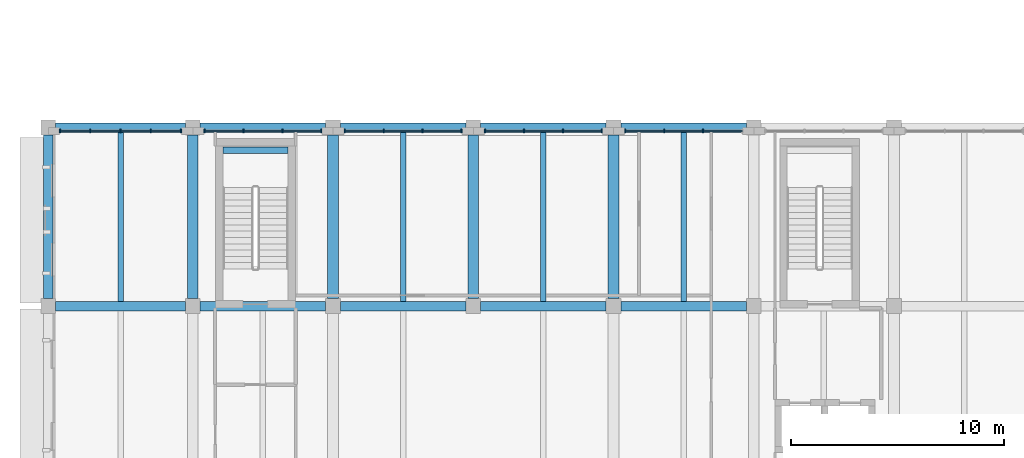
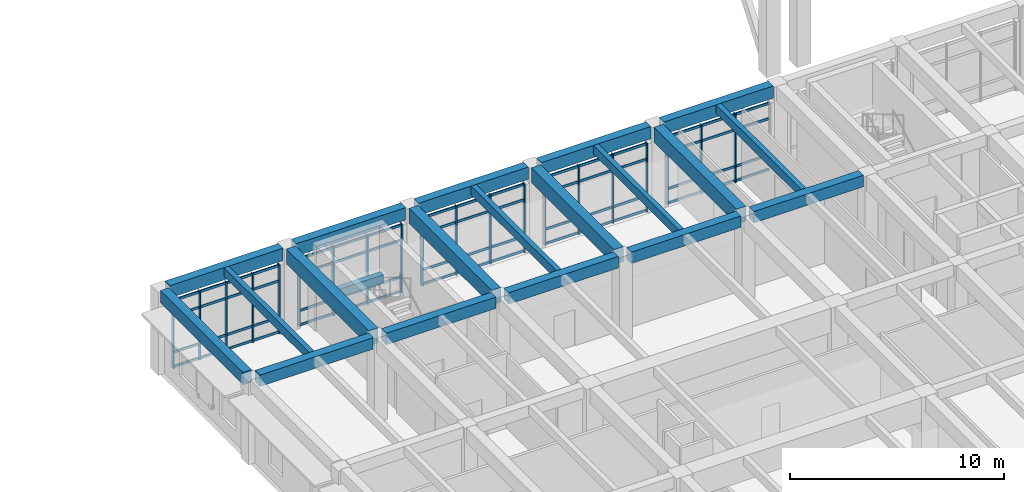
# One storey, part 9 of 75: 40 members, 20 beams, 5 elements without a shape of their own.
"""IFC4 building model written with IfcOpenShell, lengths in metres."""

from ifc_helpers import new_model, si_unit, direction, frame, origin, origin_2d, place, context, subcontext, project, spatial, rectangle, extrude, material, layer, layer_set, material_profile, profile_set, type_object, element, aggregate, save


model = new_model("IFC4")

# Units and contexts
model_context = context("Model", 3, precision=1e-05, world=origin(), true_north=direction((0.0, 1.0)))
body_context = subcontext(model_context, "Body", "Model", "MODEL_VIEW")
ifc_project = project(units=[si_unit("LENGTHUNIT", "METRE"), si_unit("AREAUNIT", "SQUARE_METRE"), si_unit("VOLUMEUNIT", "CUBIC_METRE"), si_unit("PLANEANGLEUNIT", "RADIAN"), si_unit("MASSUNIT", "GRAM", prefix="KILO")], contexts=[model_context])

# Site, building, storey
site_placement = place(None, origin())
site = spatial("IfcSite", under=ifc_project, at=site_placement, CompositionType="ELEMENT")
building_placement = place(site_placement, origin())
building = spatial("IfcBuilding", under=site, at=building_placement, Name="Kolvaren Faculty of Natural Sciences", CompositionType="ELEMENT")
storey_placement = place(building_placement, frame((0.0, 0.0, 5.39990234375)))
storey = spatial("IfcBuildingStorey", under=building, at=storey_placement, Name="L01", CompositionType="ELEMENT", Elevation=5.39990234375)

# Beam
ifc_material_1 = material(Name="Concrete C40/50", Category="concrete")
ifc_material_profile_1 = material_profile(ifc_material_1, rectangle(XDim=0.300048828125, YDim=0.449951171875, at=origin_2d()), Name="RC LNT 300x450")
ifc_profile_set_1 = profile_set([ifc_material_profile_1], Name="Concrete C40/50")
beam_type_1 = type_object("IfcBeamType", Name="CoreCouplingLintel_300x450", PredefinedType="LINTEL", material=ifc_profile_set_1)
beam_1_placement = place(storey_placement, frame((8.22509765625, 41.1298828125, 1.97509765625), z_axis=(1.0, 0.0, 0.0), x_axis=(0.0, 1.0, 0.0)))
element("IfcBeam", 1, at=beam_1_placement, inside=storey, type_object=beam_type_1, Name="L01 ST-8 half-landing support lintel", PredefinedType="LINTEL", context=body_context, shape_type="SweptSolid", body=[
    extrude(rectangle(XDim=0.300048828125, YDim=0.449951171875, at=origin_2d()), origin(), (0.0, 0.0, 1.0), 3.0498046875),
])

# Curtain wall, members
ifc_material_2 = material(Name="Thermally broken anodised aluminium framing", Category="aluminium")
ifc_layer = layer(ifc_material_2, 0.179931640625)
ifc_layer_set = layer_set([ifc_layer], Name="Thermally broken anodised aluminium framing")
curtain_wall_type = type_object("IfcCurtainWallType", Name="CommonsCurtainWall_CW02", PredefinedType="NOTDEFINED", material=ifc_layer_set)
curtain_wall_1_placement = place(storey_placement, origin())
curtain_wall_1 = element("IfcCurtainWall", 2, at=curtain_wall_1_placement, inside=storey, type_object=curtain_wall_type, Name="L01 unitised curtain wall CW-02 (CW-L01-023)", PredefinedType="NOTDEFINED")
ifc_material_profile_2 = material_profile(ifc_material_2, rectangle(XDim=0.06005859375, YDim=0.179931640625, at=origin_2d()), Name="ALU MUL 60x180")
ifc_profile_set_2 = profile_set([ifc_material_profile_2], Name="Thermally broken anodised aluminium framing")
member_type_1 = type_object("IfcMemberType", Name="CurtainMullion_60x180", PredefinedType="MULLION", material=ifc_profile_set_2)
member_1_placement = place(storey_placement, frame((0.550048828125, 42.0400390625, 0.0), z_axis=(0.0, 0.0, 1.0), x_axis=(1.0, 0.0, 0.0)))
member_1 = element("IfcMember", 3, at=member_1_placement, type_object=member_type_1, Name="CW-L01-023 vertical mullion 1", PredefinedType="MULLION", context=body_context, shape_type="SweptSolid", body=[
    extrude(rectangle(XDim=0.06005859375, YDim=0.179931640625, at=origin_2d()), origin(), (0.0, 0.0, 1.0), 3.93505859375),
])
member_2_placement = place(storey_placement, frame((1.97509765625, 42.0400390625, 0.0), z_axis=(0.0, 0.0, 1.0), x_axis=(1.0, 0.0, 0.0)))
member_2 = element("IfcMember", 4, at=member_2_placement, type_object=member_type_1, Name="CW-L01-023 vertical mullion 2", PredefinedType="MULLION", context=body_context, shape_type="SweptSolid", body=[
    extrude(rectangle(XDim=0.06005859375, YDim=0.179931640625, at=origin_2d()), origin(), (0.0, 0.0, 1.0), 3.93505859375),
])
member_3_placement = place(storey_placement, frame((3.39990234375, 42.0400390625, 0.0), z_axis=(0.0, 0.0, 1.0), x_axis=(1.0, 0.0, 0.0)))
member_3 = element("IfcMember", 5, at=member_3_placement, type_object=member_type_1, Name="CW-L01-023 vertical mullion 3", PredefinedType="MULLION", context=body_context, shape_type="SweptSolid", body=[
    extrude(rectangle(XDim=0.06005859375, YDim=0.179931640625, at=origin_2d()), origin(), (0.0, 0.0, 1.0), 3.93505859375),
])
member_4_placement = place(storey_placement, frame((4.824951171875, 42.0400390625, 0.0), z_axis=(0.0, 0.0, 1.0), x_axis=(1.0, 0.0, 0.0)))
member_4 = element("IfcMember", 6, at=member_4_placement, type_object=member_type_1, Name="CW-L01-023 vertical mullion 4", PredefinedType="MULLION", context=body_context, shape_type="SweptSolid", body=[
    extrude(rectangle(XDim=0.06005859375, YDim=0.179931640625, at=origin_2d()), origin(), (0.0, 0.0, 1.0), 3.93505859375),
])
member_5_placement = place(storey_placement, frame((6.25, 42.0400390625, 0.0), z_axis=(0.0, 0.0, 1.0), x_axis=(1.0, 0.0, 0.0)))
member_5 = element("IfcMember", 7, at=member_5_placement, type_object=member_type_1, Name="CW-L01-023 vertical mullion 5", PredefinedType="MULLION", context=body_context, shape_type="SweptSolid", body=[
    extrude(rectangle(XDim=0.06005859375, YDim=0.179931640625, at=origin_2d()), origin(), (0.0, 0.0, 1.0), 3.93505859375),
])

curtain_wall_2_placement = place(storey_placement, origin())
curtain_wall_2 = element("IfcCurtainWall", 8, at=curtain_wall_2_placement, inside=storey, type_object=curtain_wall_type, Name="L01 unitised curtain wall CW-02 (CW-L01-024)", PredefinedType="NOTDEFINED")
member_6_placement = place(storey_placement, frame((7.35009765625, 42.0400390625, 0.0), z_axis=(0.0, 0.0, 1.0), x_axis=(1.0, 0.0, 0.0)))
member_6 = element("IfcMember", 9, at=member_6_placement, type_object=member_type_1, Name="CW-L01-024 vertical mullion 1", PredefinedType="MULLION", context=body_context, shape_type="SweptSolid", body=[
    extrude(rectangle(XDim=0.06005859375, YDim=0.179931640625, at=origin_2d()), origin(), (0.0, 0.0, 1.0), 3.93505859375),
])
member_7_placement = place(storey_placement, frame((9.183349609375, 42.0400390625, 0.0), z_axis=(0.0, 0.0, 1.0), x_axis=(1.0, 0.0, 0.0)))
member_7 = element("IfcMember", 10, at=member_7_placement, type_object=member_type_1, Name="CW-L01-024 vertical mullion 2", PredefinedType="MULLION", context=body_context, shape_type="SweptSolid", body=[
    extrude(rectangle(XDim=0.06005859375, YDim=0.179931640625, at=origin_2d()), origin(), (0.0, 0.0, 1.0), 3.93505859375),
])
member_8_placement = place(storey_placement, frame((11.0166015625, 42.0400390625, 0.0), z_axis=(0.0, 0.0, 1.0), x_axis=(1.0, 0.0, 0.0)))
member_8 = element("IfcMember", 11, at=member_8_placement, type_object=member_type_1, Name="CW-L01-024 vertical mullion 3", PredefinedType="MULLION", context=body_context, shape_type="SweptSolid", body=[
    extrude(rectangle(XDim=0.06005859375, YDim=0.179931640625, at=origin_2d()), origin(), (0.0, 0.0, 1.0), 3.93505859375),
])
member_9_placement = place(storey_placement, frame((12.85009765625, 42.0400390625, 0.0), z_axis=(0.0, 0.0, 1.0), x_axis=(1.0, 0.0, 0.0)))
member_9 = element("IfcMember", 12, at=member_9_placement, type_object=member_type_1, Name="CW-L01-024 vertical mullion 4", PredefinedType="MULLION", context=body_context, shape_type="SweptSolid", body=[
    extrude(rectangle(XDim=0.06005859375, YDim=0.179931640625, at=origin_2d()), origin(), (0.0, 0.0, 1.0), 3.93505859375),
])

curtain_wall_3_placement = place(storey_placement, origin())
curtain_wall_3 = element("IfcCurtainWall", 13, at=curtain_wall_3_placement, inside=storey, type_object=curtain_wall_type, Name="L01 unitised curtain wall CW-02 (CW-L01-025)", PredefinedType="NOTDEFINED")
member_10_placement = place(storey_placement, frame((13.949951171875, 42.0400390625, 0.0), z_axis=(0.0, 0.0, 1.0), x_axis=(1.0, 0.0, 0.0)))
member_10 = element("IfcMember", 14, at=member_10_placement, type_object=member_type_1, Name="CW-L01-025 vertical mullion 1", PredefinedType="MULLION", context=body_context, shape_type="SweptSolid", body=[
    extrude(rectangle(XDim=0.06005859375, YDim=0.179931640625, at=origin_2d()), origin(), (0.0, 0.0, 1.0), 3.93505859375),
])
member_11_placement = place(storey_placement, frame((15.783203125, 42.0400390625, 0.0), z_axis=(0.0, 0.0, 1.0), x_axis=(1.0, 0.0, 0.0)))
member_11 = element("IfcMember", 15, at=member_11_placement, type_object=member_type_1, Name="CW-L01-025 vertical mullion 2", PredefinedType="MULLION", context=body_context, shape_type="SweptSolid", body=[
    extrude(rectangle(XDim=0.06005859375, YDim=0.179931640625, at=origin_2d()), origin(), (0.0, 0.0, 1.0), 3.93505859375),
])
member_12_placement = place(storey_placement, frame((17.61669921875, 42.0400390625, 0.0), z_axis=(0.0, 0.0, 1.0), x_axis=(1.0, 0.0, 0.0)))
member_12 = element("IfcMember", 16, at=member_12_placement, type_object=member_type_1, Name="CW-L01-025 vertical mullion 3", PredefinedType="MULLION", context=body_context, shape_type="SweptSolid", body=[
    extrude(rectangle(XDim=0.06005859375, YDim=0.179931640625, at=origin_2d()), origin(), (0.0, 0.0, 1.0), 3.93505859375),
])
member_13_placement = place(storey_placement, frame((19.449951171875, 42.0400390625, 0.0), z_axis=(0.0, 0.0, 1.0), x_axis=(1.0, 0.0, 0.0)))
member_13 = element("IfcMember", 17, at=member_13_placement, type_object=member_type_1, Name="CW-L01-025 vertical mullion 4", PredefinedType="MULLION", context=body_context, shape_type="SweptSolid", body=[
    extrude(rectangle(XDim=0.06005859375, YDim=0.179931640625, at=origin_2d()), origin(), (0.0, 0.0, 1.0), 3.93505859375),
])

curtain_wall_4_placement = place(storey_placement, origin())
curtain_wall_4 = element("IfcCurtainWall", 18, at=curtain_wall_4_placement, inside=storey, type_object=curtain_wall_type, Name="L01 unitised curtain wall CW-02 (CW-L01-026)", PredefinedType="NOTDEFINED")
member_14_placement = place(storey_placement, frame((20.550048828125, 42.0400390625, 0.0), z_axis=(0.0, 0.0, 1.0), x_axis=(1.0, 0.0, 0.0)))
member_14 = element("IfcMember", 19, at=member_14_placement, type_object=member_type_1, Name="CW-L01-026 vertical mullion 1", PredefinedType="MULLION", context=body_context, shape_type="SweptSolid", body=[
    extrude(rectangle(XDim=0.06005859375, YDim=0.179931640625, at=origin_2d()), origin(), (0.0, 0.0, 1.0), 3.93505859375),
])
member_15_placement = place(storey_placement, frame((22.38330078125, 42.0400390625, 0.0), z_axis=(0.0, 0.0, 1.0), x_axis=(1.0, 0.0, 0.0)))
member_15 = element("IfcMember", 20, at=member_15_placement, type_object=member_type_1, Name="CW-L01-026 vertical mullion 2", PredefinedType="MULLION", context=body_context, shape_type="SweptSolid", body=[
    extrude(rectangle(XDim=0.06005859375, YDim=0.179931640625, at=origin_2d()), origin(), (0.0, 0.0, 1.0), 3.93505859375),
])
member_16_placement = place(storey_placement, frame((24.216796875, 42.0400390625, 0.0), z_axis=(0.0, 0.0, 1.0), x_axis=(1.0, 0.0, 0.0)))
member_16 = element("IfcMember", 21, at=member_16_placement, type_object=member_type_1, Name="CW-L01-026 vertical mullion 3", PredefinedType="MULLION", context=body_context, shape_type="SweptSolid", body=[
    extrude(rectangle(XDim=0.06005859375, YDim=0.179931640625, at=origin_2d()), origin(), (0.0, 0.0, 1.0), 3.93505859375),
])
member_17_placement = place(storey_placement, frame((26.050048828125, 42.0400390625, 0.0), z_axis=(0.0, 0.0, 1.0), x_axis=(1.0, 0.0, 0.0)))
member_17 = element("IfcMember", 22, at=member_17_placement, type_object=member_type_1, Name="CW-L01-026 vertical mullion 4", PredefinedType="MULLION", context=body_context, shape_type="SweptSolid", body=[
    extrude(rectangle(XDim=0.06005859375, YDim=0.179931640625, at=origin_2d()), origin(), (0.0, 0.0, 1.0), 3.93505859375),
])

curtain_wall_5_placement = place(storey_placement, origin())
curtain_wall_5 = element("IfcCurtainWall", 23, at=curtain_wall_5_placement, inside=storey, type_object=curtain_wall_type, Name="L01 unitised curtain wall CW-02 (CW-L01-027)", PredefinedType="NOTDEFINED")
member_18_placement = place(storey_placement, frame((27.14990234375, 42.0400390625, 0.0), z_axis=(0.0, 0.0, 1.0), x_axis=(1.0, 0.0, 0.0)))
member_18 = element("IfcMember", 24, at=member_18_placement, type_object=member_type_1, Name="CW-L01-027 vertical mullion 1", PredefinedType="MULLION", context=body_context, shape_type="SweptSolid", body=[
    extrude(rectangle(XDim=0.06005859375, YDim=0.179931640625, at=origin_2d()), origin(), (0.0, 0.0, 1.0), 3.93505859375),
])
member_19_placement = place(storey_placement, frame((28.9833984375, 42.0400390625, 0.0), z_axis=(0.0, 0.0, 1.0), x_axis=(1.0, 0.0, 0.0)))
member_19 = element("IfcMember", 25, at=member_19_placement, type_object=member_type_1, Name="CW-L01-027 vertical mullion 2", PredefinedType="MULLION", context=body_context, shape_type="SweptSolid", body=[
    extrude(rectangle(XDim=0.06005859375, YDim=0.179931640625, at=origin_2d()), origin(), (0.0, 0.0, 1.0), 3.93505859375),
])
member_20_placement = place(storey_placement, frame((30.816650390625, 42.0400390625, 0.0), z_axis=(0.0, 0.0, 1.0), x_axis=(1.0, 0.0, 0.0)))
member_20 = element("IfcMember", 26, at=member_20_placement, type_object=member_type_1, Name="CW-L01-027 vertical mullion 3", PredefinedType="MULLION", context=body_context, shape_type="SweptSolid", body=[
    extrude(rectangle(XDim=0.06005859375, YDim=0.179931640625, at=origin_2d()), origin(), (0.0, 0.0, 1.0), 3.93505859375),
])

# Member
ifc_material_profile_3 = material_profile(ifc_material_2, rectangle(XDim=0.06005859375, YDim=0.139892578125, at=origin_2d()), Name="ALU TRN 60x140")
ifc_profile_set_3 = profile_set([ifc_material_profile_3], Name="Thermally broken anodised aluminium framing")
member_type_2 = type_object("IfcMemberType", Name="CurtainTransom_60x140", PredefinedType="USERDEFINED", material=ifc_profile_set_3)
member_21_placement = place(storey_placement, frame((0.550048828125, 42.0400390625, 0.080078125), z_axis=(1.0, 0.0, 0.0), x_axis=(0.0, 1.0, 0.0)))
member_21 = element("IfcMember", 27, at=member_21_placement, type_object=member_type_2, Name="CW-L01-023 horizontal transom 1", ObjectType="TRANSOM", PredefinedType="USERDEFINED", context=body_context, shape_type="SweptSolid", body=[
    extrude(rectangle(XDim=0.06005859375, YDim=0.139892578125, at=origin_2d()), origin(), (0.0, 0.0, 1.0), 5.699951171875),
])

member_22_placement = place(storey_placement, frame((0.550048828125, 42.0400390625, 0.900146484375), z_axis=(1.0, 0.0, 0.0), x_axis=(0.0, 1.0, 0.0)))
member_22 = element("IfcMember", 28, at=member_22_placement, type_object=member_type_2, Name="CW-L01-023 horizontal transom 2", ObjectType="TRANSOM", PredefinedType="USERDEFINED", context=body_context, shape_type="SweptSolid", body=[
    extrude(rectangle(XDim=0.06005859375, YDim=0.139892578125, at=origin_2d()), origin(), (0.0, 0.0, 1.0), 5.699951171875),
])

member_23_placement = place(storey_placement, frame((0.550048828125, 42.0400390625, 2.985107421875), z_axis=(1.0, 0.0, 0.0), x_axis=(0.0, 1.0, 0.0)))
member_23 = element("IfcMember", 29, at=member_23_placement, type_object=member_type_2, Name="CW-L01-023 horizontal transom 3", ObjectType="TRANSOM", PredefinedType="USERDEFINED", context=body_context, shape_type="SweptSolid", body=[
    extrude(rectangle(XDim=0.06005859375, YDim=0.139892578125, at=origin_2d()), origin(), (0.0, 0.0, 1.0), 5.699951171875),
])

member_24_placement = place(storey_placement, frame((0.550048828125, 42.0400390625, 3.85498046875), z_axis=(1.0, 0.0, 0.0), x_axis=(0.0, 1.0, 0.0)))
member_24 = element("IfcMember", 30, at=member_24_placement, type_object=member_type_2, Name="CW-L01-023 horizontal transom 4", ObjectType="TRANSOM", PredefinedType="USERDEFINED", context=body_context, shape_type="SweptSolid", body=[
    extrude(rectangle(XDim=0.06005859375, YDim=0.139892578125, at=origin_2d()), origin(), (0.0, 0.0, 1.0), 5.699951171875),
])

aggregate(curtain_wall_1, [member_1, member_2, member_3, member_4, member_5, member_21, member_22, member_23, member_24])

member_25_placement = place(storey_placement, frame((7.35009765625, 42.0400390625, 0.080078125), z_axis=(1.0, 0.0, 0.0), x_axis=(0.0, 1.0, 0.0)))
member_25 = element("IfcMember", 31, at=member_25_placement, type_object=member_type_2, Name="CW-L01-024 horizontal transom 1", ObjectType="TRANSOM", PredefinedType="USERDEFINED", context=body_context, shape_type="SweptSolid", body=[
    extrude(rectangle(XDim=0.06005859375, YDim=0.139892578125, at=origin_2d()), origin(), (0.0, 0.0, 1.0), 5.5),
])

member_26_placement = place(storey_placement, frame((7.35009765625, 42.0400390625, 0.900146484375), z_axis=(1.0, 0.0, 0.0), x_axis=(0.0, 1.0, 0.0)))
member_26 = element("IfcMember", 32, at=member_26_placement, type_object=member_type_2, Name="CW-L01-024 horizontal transom 2", ObjectType="TRANSOM", PredefinedType="USERDEFINED", context=body_context, shape_type="SweptSolid", body=[
    extrude(rectangle(XDim=0.06005859375, YDim=0.139892578125, at=origin_2d()), origin(), (0.0, 0.0, 1.0), 5.5),
])

member_27_placement = place(storey_placement, frame((7.35009765625, 42.0400390625, 2.985107421875), z_axis=(1.0, 0.0, 0.0), x_axis=(0.0, 1.0, 0.0)))
member_27 = element("IfcMember", 33, at=member_27_placement, type_object=member_type_2, Name="CW-L01-024 horizontal transom 3", ObjectType="TRANSOM", PredefinedType="USERDEFINED", context=body_context, shape_type="SweptSolid", body=[
    extrude(rectangle(XDim=0.06005859375, YDim=0.139892578125, at=origin_2d()), origin(), (0.0, 0.0, 1.0), 5.5),
])

member_28_placement = place(storey_placement, frame((7.35009765625, 42.0400390625, 3.85498046875), z_axis=(1.0, 0.0, 0.0), x_axis=(0.0, 1.0, 0.0)))
member_28 = element("IfcMember", 34, at=member_28_placement, type_object=member_type_2, Name="CW-L01-024 horizontal transom 4", ObjectType="TRANSOM", PredefinedType="USERDEFINED", context=body_context, shape_type="SweptSolid", body=[
    extrude(rectangle(XDim=0.06005859375, YDim=0.139892578125, at=origin_2d()), origin(), (0.0, 0.0, 1.0), 5.5),
])

aggregate(curtain_wall_2, [member_6, member_7, member_8, member_9, member_25, member_26, member_27, member_28])

member_29_placement = place(storey_placement, frame((13.949951171875, 42.0400390625, 0.080078125), z_axis=(1.0, 0.0, 0.0), x_axis=(0.0, 1.0, 0.0)))
member_29 = element("IfcMember", 35, at=member_29_placement, type_object=member_type_2, Name="CW-L01-025 horizontal transom 1", ObjectType="TRANSOM", PredefinedType="USERDEFINED", context=body_context, shape_type="SweptSolid", body=[
    extrude(rectangle(XDim=0.06005859375, YDim=0.139892578125, at=origin_2d()), origin(), (0.0, 0.0, 1.0), 5.5),
])

member_30_placement = place(storey_placement, frame((13.949951171875, 42.0400390625, 0.900146484375), z_axis=(1.0, 0.0, 0.0), x_axis=(0.0, 1.0, 0.0)))
member_30 = element("IfcMember", 36, at=member_30_placement, type_object=member_type_2, Name="CW-L01-025 horizontal transom 2", ObjectType="TRANSOM", PredefinedType="USERDEFINED", context=body_context, shape_type="SweptSolid", body=[
    extrude(rectangle(XDim=0.06005859375, YDim=0.139892578125, at=origin_2d()), origin(), (0.0, 0.0, 1.0), 5.5),
])

member_31_placement = place(storey_placement, frame((13.949951171875, 42.0400390625, 2.985107421875), z_axis=(1.0, 0.0, 0.0), x_axis=(0.0, 1.0, 0.0)))
member_31 = element("IfcMember", 37, at=member_31_placement, type_object=member_type_2, Name="CW-L01-025 horizontal transom 3", ObjectType="TRANSOM", PredefinedType="USERDEFINED", context=body_context, shape_type="SweptSolid", body=[
    extrude(rectangle(XDim=0.06005859375, YDim=0.139892578125, at=origin_2d()), origin(), (0.0, 0.0, 1.0), 5.5),
])

member_32_placement = place(storey_placement, frame((13.949951171875, 42.0400390625, 3.85498046875), z_axis=(1.0, 0.0, 0.0), x_axis=(0.0, 1.0, 0.0)))
member_32 = element("IfcMember", 38, at=member_32_placement, type_object=member_type_2, Name="CW-L01-025 horizontal transom 4", ObjectType="TRANSOM", PredefinedType="USERDEFINED", context=body_context, shape_type="SweptSolid", body=[
    extrude(rectangle(XDim=0.06005859375, YDim=0.139892578125, at=origin_2d()), origin(), (0.0, 0.0, 1.0), 5.5),
])

aggregate(curtain_wall_3, [member_10, member_11, member_12, member_13, member_29, member_30, member_31, member_32])

member_33_placement = place(storey_placement, frame((20.550048828125, 42.0400390625, 0.080078125), z_axis=(1.0, 0.0, 0.0), x_axis=(0.0, 1.0, 0.0)))
member_33 = element("IfcMember", 39, at=member_33_placement, type_object=member_type_2, Name="CW-L01-026 horizontal transom 1", ObjectType="TRANSOM", PredefinedType="USERDEFINED", context=body_context, shape_type="SweptSolid", body=[
    extrude(rectangle(XDim=0.06005859375, YDim=0.139892578125, at=origin_2d()), origin(), (0.0, 0.0, 1.0), 5.5),
])

member_34_placement = place(storey_placement, frame((20.550048828125, 42.0400390625, 0.900146484375), z_axis=(1.0, 0.0, 0.0), x_axis=(0.0, 1.0, 0.0)))
member_34 = element("IfcMember", 40, at=member_34_placement, type_object=member_type_2, Name="CW-L01-026 horizontal transom 2", ObjectType="TRANSOM", PredefinedType="USERDEFINED", context=body_context, shape_type="SweptSolid", body=[
    extrude(rectangle(XDim=0.06005859375, YDim=0.139892578125, at=origin_2d()), origin(), (0.0, 0.0, 1.0), 5.5),
])

member_35_placement = place(storey_placement, frame((20.550048828125, 42.0400390625, 2.985107421875), z_axis=(1.0, 0.0, 0.0), x_axis=(0.0, 1.0, 0.0)))
member_35 = element("IfcMember", 41, at=member_35_placement, type_object=member_type_2, Name="CW-L01-026 horizontal transom 3", ObjectType="TRANSOM", PredefinedType="USERDEFINED", context=body_context, shape_type="SweptSolid", body=[
    extrude(rectangle(XDim=0.06005859375, YDim=0.139892578125, at=origin_2d()), origin(), (0.0, 0.0, 1.0), 5.5),
])

member_36_placement = place(storey_placement, frame((20.550048828125, 42.0400390625, 3.85498046875), z_axis=(1.0, 0.0, 0.0), x_axis=(0.0, 1.0, 0.0)))
member_36 = element("IfcMember", 42, at=member_36_placement, type_object=member_type_2, Name="CW-L01-026 horizontal transom 4", ObjectType="TRANSOM", PredefinedType="USERDEFINED", context=body_context, shape_type="SweptSolid", body=[
    extrude(rectangle(XDim=0.06005859375, YDim=0.139892578125, at=origin_2d()), origin(), (0.0, 0.0, 1.0), 5.5),
])

aggregate(curtain_wall_4, [member_14, member_15, member_16, member_17, member_33, member_34, member_35, member_36])

member_37_placement = place(storey_placement, frame((27.14990234375, 42.0400390625, 0.080078125), z_axis=(1.0, 0.0, 0.0), x_axis=(0.0, 1.0, 0.0)))
member_37 = element("IfcMember", 43, at=member_37_placement, type_object=member_type_2, Name="CW-L01-027 horizontal transom 1", ObjectType="TRANSOM", PredefinedType="USERDEFINED", context=body_context, shape_type="SweptSolid", body=[
    extrude(rectangle(XDim=0.06005859375, YDim=0.139892578125, at=origin_2d()), origin(), (0.0, 0.0, 1.0), 5.5),
])

member_38_placement = place(storey_placement, frame((27.14990234375, 42.0400390625, 0.900146484375), z_axis=(1.0, 0.0, 0.0), x_axis=(0.0, 1.0, 0.0)))
member_38 = element("IfcMember", 44, at=member_38_placement, type_object=member_type_2, Name="CW-L01-027 horizontal transom 2", ObjectType="TRANSOM", PredefinedType="USERDEFINED", context=body_context, shape_type="SweptSolid", body=[
    extrude(rectangle(XDim=0.06005859375, YDim=0.139892578125, at=origin_2d()), origin(), (0.0, 0.0, 1.0), 5.5),
])

member_39_placement = place(storey_placement, frame((27.14990234375, 42.0400390625, 2.985107421875), z_axis=(1.0, 0.0, 0.0), x_axis=(0.0, 1.0, 0.0)))
member_39 = element("IfcMember", 45, at=member_39_placement, type_object=member_type_2, Name="CW-L01-027 horizontal transom 3", ObjectType="TRANSOM", PredefinedType="USERDEFINED", context=body_context, shape_type="SweptSolid", body=[
    extrude(rectangle(XDim=0.06005859375, YDim=0.139892578125, at=origin_2d()), origin(), (0.0, 0.0, 1.0), 5.5),
])

member_40_placement = place(storey_placement, frame((27.14990234375, 42.0400390625, 3.85498046875), z_axis=(1.0, 0.0, 0.0), x_axis=(0.0, 1.0, 0.0)))
member_40 = element("IfcMember", 46, at=member_40_placement, type_object=member_type_2, Name="CW-L01-027 horizontal transom 4", ObjectType="TRANSOM", PredefinedType="USERDEFINED", context=body_context, shape_type="SweptSolid", body=[
    extrude(rectangle(XDim=0.06005859375, YDim=0.139892578125, at=origin_2d()), origin(), (0.0, 0.0, 1.0), 5.5),
])

aggregate(curtain_wall_5, [member_18, member_19, member_20, member_37, member_38, member_39, member_40])

# Beams
ifc_material_3 = material(Name="Concrete C35/45", Category="concrete")
ifc_material_profile_4 = material_profile(ifc_material_3, rectangle(XDim=0.449951171875, YDim=0.64990234375, at=origin_2d()), Name="RC BM 450x650")
ifc_profile_set_4 = profile_set([ifc_material_profile_4], Name="Concrete C35/45")
beam_type_2 = type_object("IfcBeamType", Name="GridBeam_450x650", PredefinedType="BEAM", material=ifc_profile_set_4)
beam_2_placement = place(storey_placement, frame((0.35009765625, 33.800048828125, 4.47509765625), z_axis=(1.0, 0.0, 0.0), x_axis=(0.0, 1.0, 0.0)))
element("IfcBeam", 47, at=beam_2_placement, inside=storey, type_object=beam_type_2, Name="L01 beam BM-65 on grid E", PredefinedType="BEAM", context=body_context, shape_type="SweptSolid", body=[
    extrude(rectangle(XDim=0.449951171875, YDim=0.64990234375, at=origin_2d()), origin(), (0.0, 0.0, 1.0), 6.099853515625),
])
beam_3_placement = place(storey_placement, frame((7.14990234375, 33.800048828125, 4.47509765625), z_axis=(1.0, 0.0, 0.0), x_axis=(0.0, 1.0, 0.0)))
element("IfcBeam", 48, at=beam_3_placement, inside=storey, type_object=beam_type_2, Name="L01 beam BM-65 on grid E", PredefinedType="BEAM", context=body_context, shape_type="SweptSolid", body=[
    extrude(rectangle(XDim=0.449951171875, YDim=0.64990234375, at=origin_2d()), origin(), (0.0, 0.0, 1.0), 5.900146484375),
])
for number, where, z_axis, x_axis, name in (
    (49, (13.75, 33.800048828125, 4.47509765625), (1.0, 0.0, 0.0), (0.0, 1.0, 0.0), "L01 beam BM-65 on grid E"),
    (50, (20.35009765625, 33.800048828125, 4.47509765625), (1.0, 0.0, 0.0), (0.0, 1.0, 0.0), "L01 beam BM-65 on grid E"),
):
    element("IfcBeam", number, at=place(storey_placement, frame(where, z_axis=z_axis, x_axis=x_axis)), inside=storey, type_object=beam_type_2, Name=name, PredefinedType="BEAM", context=body_context, shape_type="SweptSolid", body=[
        extrude(rectangle(XDim=0.449951171875, YDim=0.64990234375, at=origin_2d()), origin(), (0.0, 0.0, 1.0), 5.89990234375),
    ])
beam_4_placement = place(storey_placement, frame((26.949951171875, 33.800048828125, 4.47509765625), z_axis=(1.0, 0.0, 0.0), x_axis=(0.0, 1.0, 0.0)))
element("IfcBeam", 51, at=beam_4_placement, inside=storey, type_object=beam_type_2, Name="L01 beam BM-65 on grid E", PredefinedType="BEAM", context=body_context, shape_type="SweptSolid", body=[
    extrude(rectangle(XDim=0.449951171875, YDim=0.64990234375, at=origin_2d()), origin(), (0.0, 0.0, 1.0), 5.900146484375),
])
ifc_material_profile_5 = material_profile(ifc_material_3, rectangle(XDim=0.260009765625, YDim=0.5, at=origin_2d()), Name="RC JST 260x500")
ifc_profile_set_5 = profile_set([ifc_material_profile_5], Name="Concrete C35/45")
beam_type_3 = type_object("IfcBeamType", Name="LabRibJoist_260x500", PredefinedType="JOIST", material=ifc_profile_set_5)
for number, where, z_axis, x_axis, name in (
    (52, (3.39990234375, 34.02490234375, 4.550048828125), (0.0, 1.0, 0.0), (-1.0, 0.0, 0.0), "L01 ribbed laboratory slab joist JS-50"),
    (53, (16.699951171875, 34.02490234375, 4.550048828125), (0.0, 1.0, 0.0), (-1.0, 0.0, 0.0), "L01 ribbed laboratory slab joist JS-50"),
    (54, (23.300048828125, 34.02490234375, 4.550048828125), (0.0, 1.0, 0.0), (-1.0, 0.0, 0.0), "L01 ribbed laboratory slab joist JS-50"),
    (55, (29.89990234375, 34.02490234375, 4.550048828125), (0.0, 1.0, 0.0), (-1.0, 0.0, 0.0), "L01 ribbed laboratory slab joist JS-50"),
):
    element("IfcBeam", number, at=place(storey_placement, frame(where, z_axis=z_axis, x_axis=x_axis)), inside=storey, type_object=beam_type_3, Name=name, PredefinedType="JOIST", context=body_context, shape_type="SweptSolid", body=[
        extrude(rectangle(XDim=0.260009765625, YDim=0.5, at=origin_2d()), origin(), (0.0, 0.0, 1.0), 7.9501953125),
    ])
ifc_material_profile_6 = material_profile(ifc_material_3, rectangle(XDim=0.449951171875, YDim=0.699951171875, at=origin_2d()), Name="RC SP 450x700")
ifc_profile_set_6 = profile_set([ifc_material_profile_6], Name="Concrete C35/45")
beam_type_4 = type_object("IfcBeamType", Name="PerimeterSpandrel_450x700", PredefinedType="SPANDREL", material=ifc_profile_set_6)
beam_5_placement = place(storey_placement, frame((0.35009765625, 42.199951171875, 4.4501953125), z_axis=(1.0, 0.0, 0.0), x_axis=(0.0, 1.0, 0.0)))
element("IfcBeam", 56, at=beam_5_placement, inside=storey, type_object=beam_type_4, Name="L01 spandrel SP-70 on grid F", PredefinedType="SPANDREL", context=body_context, shape_type="SweptSolid", body=[
    extrude(rectangle(XDim=0.449951171875, YDim=0.699951171875, at=origin_2d()), origin(), (0.0, 0.0, 1.0), 6.099853515625),
])
beam_6_placement = place(storey_placement, frame((7.14990234375, 42.199951171875, 4.4501953125), z_axis=(1.0, 0.0, 0.0), x_axis=(0.0, 1.0, 0.0)))
element("IfcBeam", 57, at=beam_6_placement, inside=storey, type_object=beam_type_4, Name="L01 spandrel SP-70 on grid F", PredefinedType="SPANDREL", context=body_context, shape_type="SweptSolid", body=[
    extrude(rectangle(XDim=0.449951171875, YDim=0.699951171875, at=origin_2d()), origin(), (0.0, 0.0, 1.0), 5.900146484375),
])
for number, where, z_axis, x_axis, name in (
    (58, (13.75, 42.199951171875, 4.4501953125), (1.0, 0.0, 0.0), (0.0, 1.0, 0.0), "L01 spandrel SP-70 on grid F"),
    (59, (20.35009765625, 42.199951171875, 4.4501953125), (1.0, 0.0, 0.0), (0.0, 1.0, 0.0), "L01 spandrel SP-70 on grid F"),
):
    element("IfcBeam", number, at=place(storey_placement, frame(where, z_axis=z_axis, x_axis=x_axis)), inside=storey, type_object=beam_type_4, Name=name, PredefinedType="SPANDREL", context=body_context, shape_type="SweptSolid", body=[
        extrude(rectangle(XDim=0.449951171875, YDim=0.699951171875, at=origin_2d()), origin(), (0.0, 0.0, 1.0), 5.89990234375),
    ])
beam_7_placement = place(storey_placement, frame((26.949951171875, 42.199951171875, 4.4501953125), z_axis=(1.0, 0.0, 0.0), x_axis=(0.0, 1.0, 0.0)))
element("IfcBeam", 60, at=beam_7_placement, inside=storey, type_object=beam_type_4, Name="L01 spandrel SP-70 on grid F", PredefinedType="SPANDREL", context=body_context, shape_type="SweptSolid", body=[
    extrude(rectangle(XDim=0.449951171875, YDim=0.699951171875, at=origin_2d()), origin(), (0.0, 0.0, 1.0), 5.900146484375),
])
beam_8_placement = place(storey_placement, frame((0.0, 34.14990234375, 4.4501953125), z_axis=(0.0, 1.0, 0.0), x_axis=(-1.0, 0.0, 0.0)))
element("IfcBeam", 61, at=beam_8_placement, inside=storey, type_object=beam_type_4, Name="L01 girder SP-70 on grid 1", PredefinedType="SPANDREL", context=body_context, shape_type="SweptSolid", body=[
    extrude(rectangle(XDim=0.449951171875, YDim=0.699951171875, at=origin_2d()), origin(), (0.0, 0.0, 1.0), 7.7001953125),
])
ifc_material_profile_7 = material_profile(ifc_material_3, rectangle(XDim=0.5, YDim=0.85009765625, at=origin_2d()), Name="RC BM 500x850")
ifc_profile_set_7 = profile_set([ifc_material_profile_7], Name="Concrete C35/45")
beam_type_5 = type_object("IfcBeamType", Name="PrimaryGirder_500x850", PredefinedType="BEAM", material=ifc_profile_set_7)
for number, where, z_axis, x_axis, name in (
    (62, (6.800048828125, 34.14990234375, 4.375), (0.0, 1.0, 0.0), (-1.0, 0.0, 0.0), "L01 girder BG-85 on grid 2"),
    (63, (13.39990234375, 34.14990234375, 4.375), (0.0, 1.0, 0.0), (-1.0, 0.0, 0.0), "L01 girder BG-85 on grid 3"),
    (64, (20.0, 34.14990234375, 4.375), (0.0, 1.0, 0.0), (-1.0, 0.0, 0.0), "L01 girder BG-85 on grid 4"),
    (65, (26.60009765625, 34.14990234375, 4.375), (0.0, 1.0, 0.0), (-1.0, 0.0, 0.0), "L01 girder BG-85 on grid 5"),
):
    element("IfcBeam", number, at=place(storey_placement, frame(where, z_axis=z_axis, x_axis=x_axis)), inside=storey, type_object=beam_type_5, Name=name, PredefinedType="BEAM", context=body_context, shape_type="SweptSolid", body=[
        extrude(rectangle(XDim=0.5, YDim=0.85009765625, at=origin_2d()), origin(), (0.0, 0.0, 1.0), 7.7001953125),
    ])

save(model, "model.ifc")
